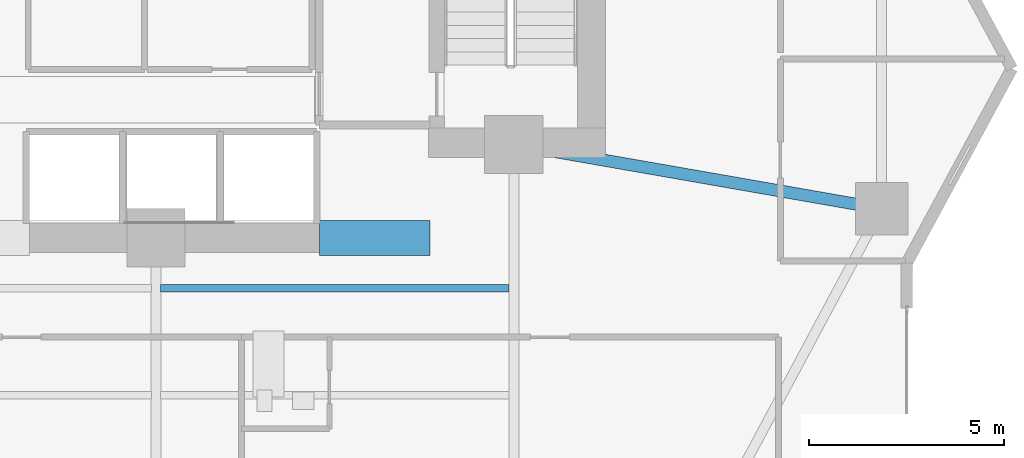
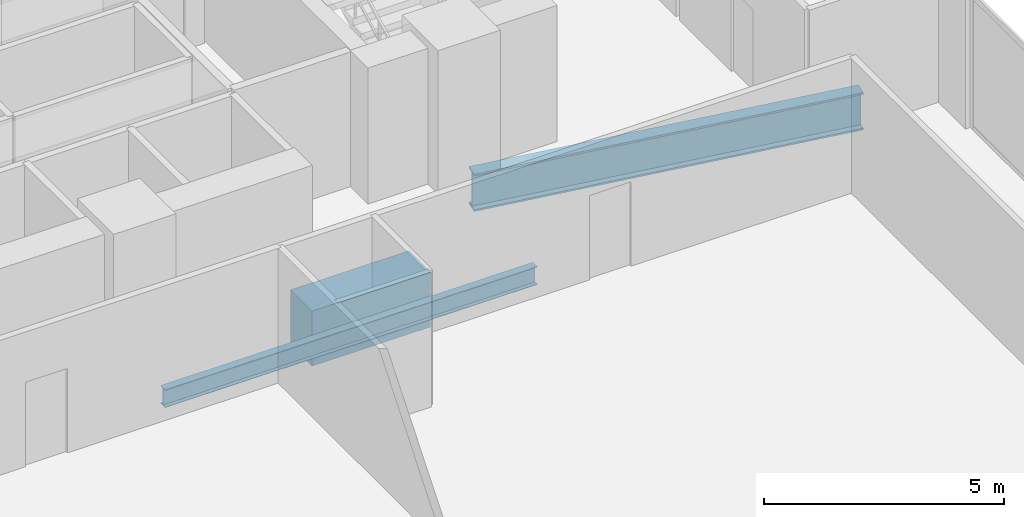
# One storey, part 12 of 29: 3 beams.
"""IFC4 building model written with IfcOpenShell, lengths in metres."""

from ifc_helpers import new_model, si_unit, direction, frame, origin, origin_2d, place, context, subcontext, project, spatial, rectangle, i_section, extrude, material, material_profile, profile_set, type_object, element, save


model = new_model("IFC4")

# Units and contexts
model_context = context("Model", 3, precision=1e-05, world=origin(), true_north=direction((0.0, 1.0)))
body_context = subcontext(model_context, "Body", "Model", "MODEL_VIEW")
ifc_project = project(units=[si_unit("LENGTHUNIT", "METRE"), si_unit("AREAUNIT", "SQUARE_METRE"), si_unit("VOLUMEUNIT", "CUBIC_METRE"), si_unit("PLANEANGLEUNIT", "RADIAN"), si_unit("MASSUNIT", "GRAM", prefix="KILO")], contexts=[model_context])

# Site, building, storey
site_placement = place(None, origin())
site = spatial("IfcSite", under=ifc_project, at=site_placement, CompositionType="ELEMENT")
building_placement = place(site_placement, origin())
building = spatial("IfcBuilding", under=site, at=building_placement, Name="Zuhayl Quay Hotel", CompositionType="ELEMENT")
storey_placement = place(building_placement, frame((0.0, 0.0, 106.60009765625)))
storey = spatial("IfcBuildingStorey", under=building, at=storey_placement, Name="L26", CompositionType="ELEMENT", Elevation=106.60009765625)

# Beams
ifc_material_1 = material(Name="Concrete C60/75", Category="concrete")
ifc_material_profile_1 = material_profile(ifc_material_1, rectangle(XDim=0.89990234375, YDim=1.39990234375, at=origin_2d()), Name="RC900X1400")
ifc_profile_set_1 = profile_set([ifc_material_profile_1], Name="Concrete C60/75")
beam_type_1 = type_object("IfcBeamType", Name="BM_CB1_RC900", PredefinedType="T_BEAM", material=ifc_profile_set_1)
beam_1_placement = place(storey_placement, frame((8.800048828125, 2.14990234375, -0.920166015625), z_axis=(1.0, 0.0, 0.0), x_axis=(0.0, 1.0, 0.0)))
element("IfcBeam", 1, at=beam_1_placement, inside=storey, type_object=beam_type_1, Name="L26 Core Coupling Beam SE", PredefinedType="T_BEAM", context=body_context, shape_type="SweptSolid", body=[
    extrude(rectangle(XDim=0.89990234375, YDim=1.39990234375, at=origin_2d()), origin(), (0.0, 0.0, 1.0), 2.849853515625),
])
ifc_material_2 = material(Name="Steel ASTM A992 Grade 50", Category="steel")
ifc_material_profile_2 = material_profile(ifc_material_2, i_section(OverallWidth=0.18994140625, OverallDepth=0.45703125, WebThickness=0.009033203125, FlangeThickness=0.014404296875, at=origin_2d()), Name="W18X50")
ifc_profile_set_2 = profile_set([ifc_material_profile_2], Name="Steel ASTM A992 Grade 50")
beam_type_2 = type_object("IfcBeamType", Name="BM_J2_W18X50", PredefinedType="JOIST", material=ifc_profile_set_2)
beam_2_placement = place(storey_placement, frame((4.718994140625, 0.85009765625, -0.448486328125), z_axis=(1.0, 0.0, 0.0), x_axis=(0.0, 1.0, 0.0)))
element("IfcBeam", 2, at=beam_2_placement, inside=storey, type_object=beam_type_2, Name="L26 Floor Beam FJ_L26_9_3", PredefinedType="JOIST", context=body_context, shape_type="SweptSolid", body=[
    extrude(i_section(OverallWidth=0.18994140625, OverallDepth=0.45703125, WebThickness=0.009033203125, FlangeThickness=0.014404296875, at=origin_2d()), origin(), (0.0, 0.0, 1.0), 8.9619140625),
])
ifc_material_profile_3 = material_profile(ifc_material_2, i_section(OverallWidth=0.31005859375, OverallDepth=0.949951171875, WebThickness=0.0244140625, FlangeThickness=0.0439453125, at=origin_2d()), Name="W36X256")
ifc_profile_set_3 = profile_set([ifc_material_profile_3], Name="Steel ASTM A992 Grade 50")
beam_type_3 = type_object("IfcBeamType", Name="BM_PG1_W36X256", PredefinedType="BEAM", material=ifc_profile_set_3)
beam_3_placement = place(storey_placement, frame((14.243408203125, 4.47265625, -0.695068359375), z_axis=(0.985097302632, -0.171997977741, 0.0), x_axis=(0.171997977741, 0.985097302632, 0.0)))
element("IfcBeam", 3, at=beam_3_placement, inside=storey, type_object=beam_type_3, Name="L26 Floor Beam FG_E_L26_1", PredefinedType="BEAM", context=body_context, shape_type="SweptSolid", body=[
    extrude(i_section(OverallWidth=0.31005859375, OverallDepth=0.949951171875, WebThickness=0.0244140625, FlangeThickness=0.0439453125, at=origin_2d()), origin(), (0.0, 0.0, 1.0), 8.64306640625),
])

save(model, "model.ifc")
